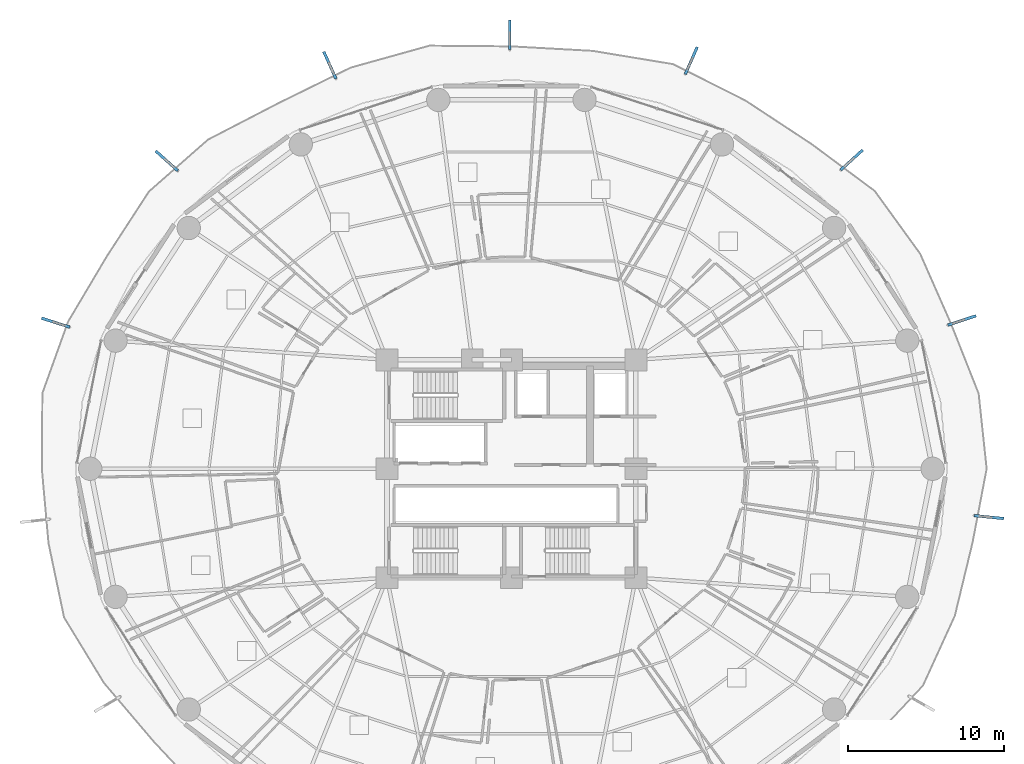
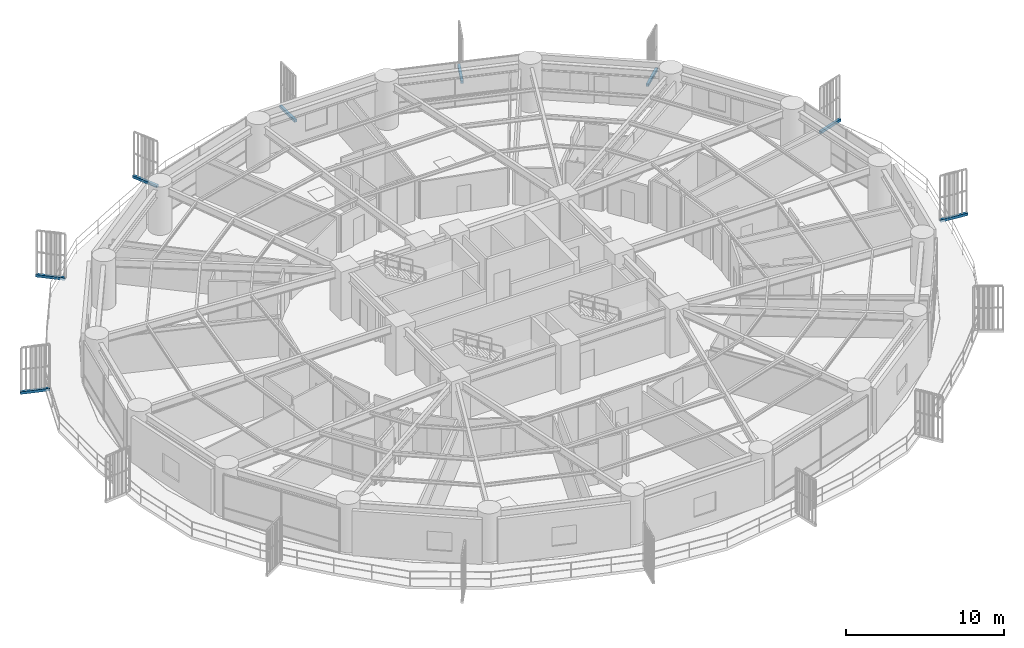
# One storey, part 28 of 33: 8 discrete accessories.
"""IFC4 building model written with IfcOpenShell, lengths in metres."""

from ifc_helpers import new_model, si_unit, direction, frame, origin, origin_2d, place, context, subcontext, project, spatial, rectangle, extrude, source, transform, mapped, material, type_object, element, save


model = new_model("IFC4")

# Units and contexts
model_context = context("Model", 3, precision=1e-05, world=origin(), true_north=direction((0.0, 1.0)))
body_context = subcontext(model_context, "Body", "Model", "MODEL_VIEW")
ifc_project = project(units=[si_unit("LENGTHUNIT", "METRE"), si_unit("AREAUNIT", "SQUARE_METRE"), si_unit("VOLUMEUNIT", "CUBIC_METRE"), si_unit("PLANEANGLEUNIT", "RADIAN"), si_unit("MASSUNIT", "GRAM", prefix="KILO")], contexts=[model_context])

# Site, building, storey
site_placement = place(None, origin())
site = spatial("IfcSite", under=ifc_project, at=site_placement, CompositionType="ELEMENT")
building_placement = place(site_placement, origin())
building = spatial("IfcBuilding", under=site, at=building_placement, Name="Kelanora Arch Commons", CompositionType="ELEMENT")
storey_placement = place(building_placement, frame((0.0, 0.0, 41.25)))
storey = spatial("IfcBuildingStorey", under=building, at=storey_placement, Name="L10", CompositionType="ELEMENT", Elevation=41.25)

# Discrete accessories
ifc_material = material(Name="Stainless steel 316 marine fin bracket", Category="steel")
discrete_accessory_type = type_object("IfcDiscreteAccessoryType", Name="ACC-FIN-BRK", PredefinedType="BRACKET", material=ifc_material)
shared_shape = source(origin(), body_context, "Body", "SweptSolid", [
    extrude(rectangle(XDim=1.902587890625, YDim=0.179931640625, at=origin_2d()), origin(), (0.0, 0.0, 1.0), 0.199951171875),
])
for number, where, z_axis, x_axis, name in (
    (1, (102.9619140625, 67.53515625, -0.16015625), (0.0, 0.0, 1.0), (0.949862968197, 0.312666502279, 0.0), "Sweeping Fin Cantilever Spine Bracket L10-00"),
    (2, (95.876708984375, 77.852783203125, -0.16015625), (0.0, 0.0, 1.0), (0.74057007644, 0.671979137981, 0.0), "Sweeping Fin Cantilever Spine Bracket L10-01"),
    (3, (85.5625, 84.24462890625, -0.16015625), (0.0, 0.0, 1.0), (0.403225890599, 0.915100475986, 0.0), "Sweeping Fin Cantilever Spine Bracket L10-02"),
    (4, (73.8916015625, 85.89013671875, -0.16015625), (0.0, 0.0, 1.0), (-0.003839714919, 0.999992628267, 0.0), "Sweeping Fin Cantilever Spine Bracket L10-03"),
    (5, (62.326904296875, 83.94580078125, -0.16015625), (0.0, 0.0, 1.0), (-0.410241398845, 0.911976970473, 0.0), "Sweeping Fin Cantilever Spine Bracket L10-04"),
    (6, (51.841552734375, 77.7958984375, -0.16015625), (0.0, 0.0, 1.0), (-0.745708617985, 0.666272209433, 0.0), "Sweeping Fin Cantilever Spine Bracket L10-05"),
    (7, (44.697021484375, 67.395263671875, -0.16015625), (0.0, 0.0, 1.0), (-0.952236042525, 0.30536293049, 0.0), "Sweeping Fin Cantilever Spine Bracket L10-06"),
    (8, (104.699951171875, 54.89404296875, -0.16015625), (0.0, 0.0, 1.0), (0.994915923519, -0.100709012153, 0.0), "Sweeping Fin Cantilever Spine Bracket L10-14"),
):
    element("IfcDiscreteAccessory", number, at=place(storey_placement, frame(where, z_axis=z_axis, x_axis=x_axis)), inside=storey, type_object=discrete_accessory_type, Name=name, PredefinedType="BRACKET", context=body_context, shape_type="MappedRepresentation", body=[
        mapped(shared_shape, transform((0.0, 0.0, 0.0), scale=1.0)),
    ])

save(model, "model.ifc")
